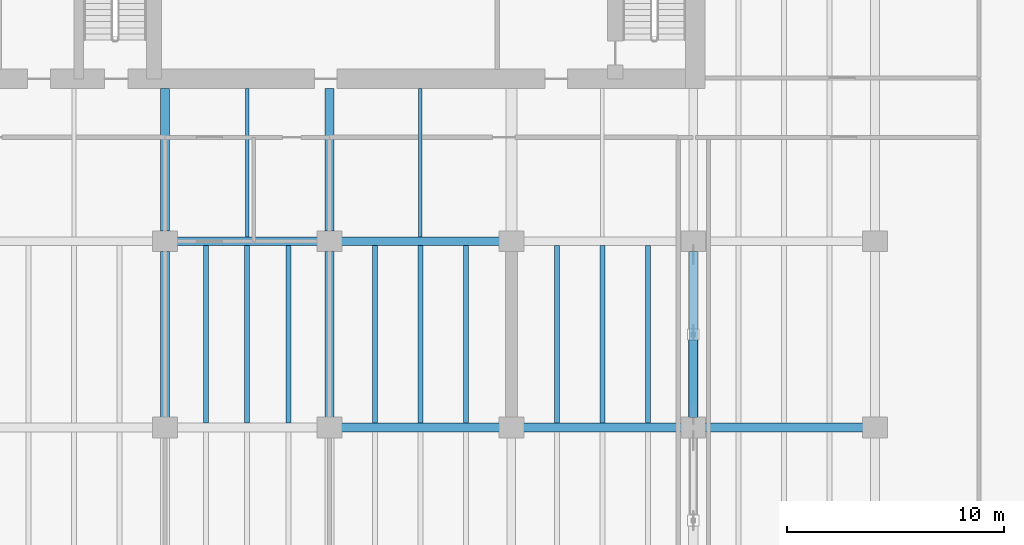
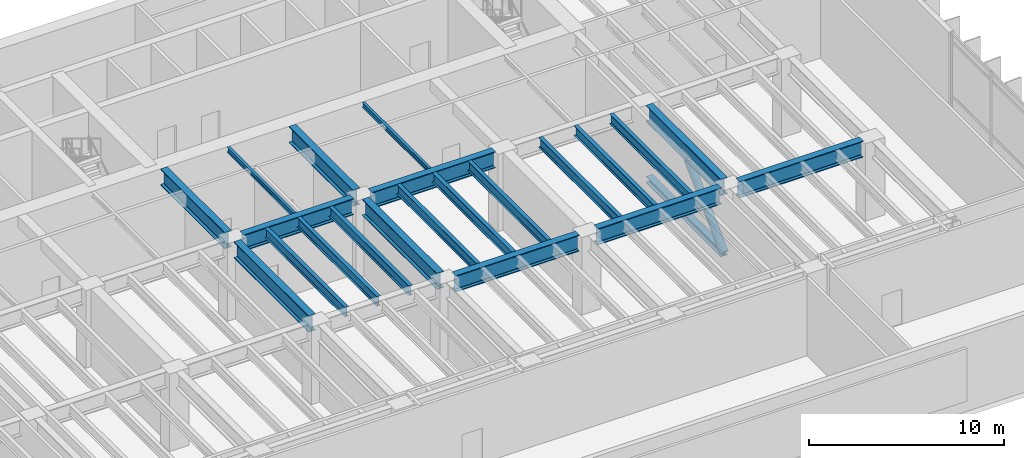
# One storey, part 7 of 21: 22 beams, 1 member.
"""IFC4 building model written with IfcOpenShell, lengths in metres."""

from ifc_helpers import new_model, si_unit, direction, frame, origin, origin_2d, place, context, subcontext, project, spatial, hollow_circle, i_section, extrude, material, material_profile, profile_set, type_object, element, save


model = new_model("IFC4")

# Units and contexts
model_context = context("Model", 3, precision=1e-05, world=origin(), true_north=direction((0.0, 1.0)))
body_context = subcontext(model_context, "Body", "Model", "MODEL_VIEW")
ifc_project = project(units=[si_unit("LENGTHUNIT", "METRE"), si_unit("AREAUNIT", "SQUARE_METRE"), si_unit("VOLUMEUNIT", "CUBIC_METRE"), si_unit("PLANEANGLEUNIT", "RADIAN"), si_unit("MASSUNIT", "GRAM", prefix="KILO")], contexts=[model_context])

# Site, building, storey
site_placement = place(None, origin())
site = spatial("IfcSite", under=ifc_project, at=site_placement, CompositionType="ELEMENT")
building_placement = place(site_placement, origin())
building = spatial("IfcBuilding", under=site, at=building_placement, Name="Caelmar Bay Residences", CompositionType="ELEMENT")
storey_placement = place(building_placement, frame((0.0, 0.0, 79.5)))
storey = spatial("IfcBuildingStorey", under=building, at=storey_placement, Name="L21", CompositionType="ELEMENT", Elevation=79.5)

# Beams
ifc_material_1 = material(Name="Steel ASTM A992 Grade 50", Category="steel")
ifc_material_profile_1 = material_profile(ifc_material_1, i_section(OverallWidth=0.40087890625, OverallDepth=0.39892578125, WebThickness=0.02490234375, FlangeThickness=0.03955078125, FilletRadius=0.01513671875, at=origin_2d()), Name="W14X211")
ifc_profile_set_1 = profile_set([ifc_material_profile_1], Name="Steel ASTM A992 Grade 50")
beam_type_1 = type_object("IfcBeamType", Name="BM-CHD-W14X211", PredefinedType="BEAM", material=ifc_profile_set_1)
beam_1_placement = place(storey_placement, frame((59.5, 21.264892578125, 0.199462890625), z_axis=(0.0, 1.0, 0.0), x_axis=(-1.0, 0.0, 0.0)))
element("IfcBeam", 1, at=beam_1_placement, inside=storey, type_object=beam_type_1, Name="L21 Outrigger Bottom Chord 4", PredefinedType="BEAM", context=body_context, shape_type="SweptSolid", body=[
    extrude(i_section(OverallWidth=0.40087890625, OverallDepth=0.39892578125, WebThickness=0.02490234375, FlangeThickness=0.03955078125, FilletRadius=0.01513671875, at=origin_2d()), origin(), (0.0, 0.0, 1.0), 7.670166015625),
])
ifc_material_profile_2 = material_profile(ifc_material_1, i_section(OverallWidth=0.404052734375, OverallDepth=1.02099609375, WebThickness=0.025390625, FlangeThickness=0.0458984375, FilletRadius=0.02294921875, at=origin_2d()), Name="W40X324")
ifc_profile_set_2 = profile_set([ifc_material_profile_2], Name="Steel ASTM A992 Grade 50")
beam_type_2 = type_object("IfcBeamType", Name="BM-GRD-W40X324", PredefinedType="BEAM", material=ifc_profile_set_2)
for number, where, z_axis, x_axis, name in (
    (2, (43.239990234375, 20.800048828125, 4.339599609375), (1.0, 0.0, 0.0), (0.0, 1.0, 0.0), "L21 East-West Girder Y=20.80 (42.7-51.1)"),
    (3, (51.639892578125, 20.800048828125, 4.339599609375), (1.0, 0.0, 0.0), (0.0, 1.0, 0.0), "L21 East-West Girder Y=20.80 (51.1-59.5)"),
    (4, (60.0400390625, 20.800048828125, 4.339599609375), (1.0, 0.0, 0.0), (0.0, 1.0, 0.0), "L21 East-West Girder Y=20.80 (59.5-67.9)"),
):
    element("IfcBeam", number, at=place(storey_placement, frame(where, z_axis=z_axis, x_axis=x_axis)), inside=storey, type_object=beam_type_2, Name=name, PredefinedType="BEAM", context=body_context, shape_type="SweptSolid", body=[
        extrude(i_section(OverallWidth=0.404052734375, OverallDepth=1.02099609375, WebThickness=0.025390625, FlangeThickness=0.0458984375, FilletRadius=0.02294921875, at=origin_2d()), origin(), (0.0, 0.0, 1.0), 7.320068359375),
    ])
beam_2_placement = place(storey_placement, frame((35.639892578125, 29.39990234375, 4.339599609375), z_axis=(1.0, 0.0, 0.0), x_axis=(0.0, 1.0, 0.0)))
element("IfcBeam", 5, at=beam_2_placement, inside=storey, type_object=beam_type_2, Name="L21 East-West Girder Y=29.40 (35.1-42.7)", PredefinedType="BEAM", context=body_context, shape_type="SweptSolid", body=[
    extrude(i_section(OverallWidth=0.404052734375, OverallDepth=1.02099609375, WebThickness=0.025390625, FlangeThickness=0.0458984375, FilletRadius=0.02294921875, at=origin_2d()), origin(), (0.0, 0.0, 1.0), 6.52001953125),
])
beam_3_placement = place(storey_placement, frame((43.239990234375, 29.39990234375, 4.339599609375), z_axis=(1.0, 0.0, 0.0), x_axis=(0.0, 1.0, 0.0)))
element("IfcBeam", 6, at=beam_3_placement, inside=storey, type_object=beam_type_2, Name="L21 East-West Girder Y=29.40 (42.7-51.1)", PredefinedType="BEAM", context=body_context, shape_type="SweptSolid", body=[
    extrude(i_section(OverallWidth=0.404052734375, OverallDepth=1.02099609375, WebThickness=0.025390625, FlangeThickness=0.0458984375, FilletRadius=0.02294921875, at=origin_2d()), origin(), (0.0, 0.0, 1.0), 7.320068359375),
])
beam_4_placement = place(storey_placement, frame((35.10009765625, 29.864990234375, 4.339599609375), z_axis=(0.0, 1.0, 0.0), x_axis=(-1.0, 0.0, 0.0)))
element("IfcBeam", 7, at=beam_4_placement, inside=storey, type_object=beam_type_2, Name="L21 Core Tie Girder X=35.10", PredefinedType="BEAM", context=body_context, shape_type="SweptSolid", body=[
    extrude(i_section(OverallWidth=0.404052734375, OverallDepth=1.02099609375, WebThickness=0.025390625, FlangeThickness=0.0458984375, FilletRadius=0.02294921875, at=origin_2d()), origin(), (0.0, 0.0, 1.0), 6.5849609375),
])
beam_5_placement = place(storey_placement, frame((35.10009765625, 21.264892578125, 4.339599609375), z_axis=(0.0, 1.0, 0.0), x_axis=(-1.0, 0.0, 0.0)))
element("IfcBeam", 8, at=beam_5_placement, inside=storey, type_object=beam_type_2, Name="L21 North-South Girder X=35.10 (20.8-29.4)", PredefinedType="BEAM", context=body_context, shape_type="SweptSolid", body=[
    extrude(i_section(OverallWidth=0.404052734375, OverallDepth=1.02099609375, WebThickness=0.025390625, FlangeThickness=0.0458984375, FilletRadius=0.02294921875, at=origin_2d()), origin(), (0.0, 0.0, 1.0), 7.670166015625),
])
beam_6_placement = place(storey_placement, frame((42.699951171875, 29.864990234375, 4.339599609375), z_axis=(0.0, 1.0, 0.0), x_axis=(-1.0, 0.0, 0.0)))
element("IfcBeam", 9, at=beam_6_placement, inside=storey, type_object=beam_type_2, Name="L21 Core Tie Girder X=42.70", PredefinedType="BEAM", context=body_context, shape_type="SweptSolid", body=[
    extrude(i_section(OverallWidth=0.404052734375, OverallDepth=1.02099609375, WebThickness=0.025390625, FlangeThickness=0.0458984375, FilletRadius=0.02294921875, at=origin_2d()), origin(), (0.0, 0.0, 1.0), 6.5849609375),
])
for number, where, z_axis, x_axis, name in (
    (10, (42.699951171875, 21.264892578125, 4.339599609375), (0.0, 1.0, 0.0), (-1.0, 0.0, 0.0), "L21 North-South Girder X=42.70 (20.8-29.4)"),
    (11, (59.5, 21.264892578125, 4.339599609375), (0.0, 1.0, 0.0), (-1.0, 0.0, 0.0), "L21 North-South Girder X=59.50 (20.8-29.4)"),
):
    element("IfcBeam", number, at=place(storey_placement, frame(where, z_axis=z_axis, x_axis=x_axis)), inside=storey, type_object=beam_type_2, Name=name, PredefinedType="BEAM", context=body_context, shape_type="SweptSolid", body=[
        extrude(i_section(OverallWidth=0.404052734375, OverallDepth=1.02099609375, WebThickness=0.025390625, FlangeThickness=0.0458984375, FilletRadius=0.02294921875, at=origin_2d()), origin(), (0.0, 0.0, 1.0), 7.670166015625),
    ])
ifc_material_profile_3 = material_profile(ifc_material_1, i_section(OverallWidth=0.1650390625, OverallDepth=0.31005859375, WebThickness=0.005859375, FlangeThickness=0.009765625, FilletRadius=0.007568359375, at=origin_2d()), Name="W12X26")
ifc_profile_set_3 = profile_set([ifc_material_profile_3], Name="Steel ASTM A992 Grade 50")
beam_type_3 = type_object("IfcBeamType", Name="BM-JST-W12X26", PredefinedType="JOIST", material=ifc_profile_set_3)
for number, where, z_axis, x_axis, name in (
    (12, (38.89990234375, 29.60205078125, 4.695068359375), (0.0, 1.0, 0.0), (-1.0, 0.0, 0.0), "L21 Core-Band Composite Joist 45"),
    (13, (46.89990234375, 29.60205078125, 4.695068359375), (0.0, 1.0, 0.0), (-1.0, 0.0, 0.0), "L21 Core-Band Composite Joist 46"),
):
    element("IfcBeam", number, at=place(storey_placement, frame(where, z_axis=z_axis, x_axis=x_axis)), inside=storey, type_object=beam_type_3, Name=name, PredefinedType="JOIST", context=body_context, shape_type="SweptSolid", body=[
        extrude(i_section(OverallWidth=0.1650390625, OverallDepth=0.31005859375, WebThickness=0.005859375, FlangeThickness=0.009765625, FilletRadius=0.007568359375, at=origin_2d()), origin(), (0.0, 0.0, 1.0), 6.847900390625),
    ])
ifc_material_profile_4 = material_profile(ifc_material_1, i_section(OverallWidth=0.22900390625, OverallDepth=0.612060546875, WebThickness=0.011962890625, FlangeThickness=0.01953125, FilletRadius=0.0126953125, at=origin_2d()), Name="W24X84")
ifc_profile_set_4 = profile_set([ifc_material_profile_4], Name="Steel ASTM A992 Grade 50")
beam_type_4 = type_object("IfcBeamType", Name="BM-JST-W24X84", PredefinedType="JOIST", material=ifc_profile_set_4)
for number, where, z_axis, x_axis, name in (
    (14, (37.0, 21.001953125, 4.5439453125), (0.0, 1.0, 0.0), (-1.0, 0.0, 0.0), "L21 Composite Floor Joist 31"),
    (15, (38.89990234375, 21.001953125, 4.5439453125), (0.0, 1.0, 0.0), (-1.0, 0.0, 0.0), "L21 Composite Floor Joist 32"),
    (16, (40.800048828125, 21.001953125, 4.5439453125), (0.0, 1.0, 0.0), (-1.0, 0.0, 0.0), "L21 Composite Floor Joist 33"),
    (17, (44.800048828125, 21.001953125, 4.5439453125), (0.0, 1.0, 0.0), (-1.0, 0.0, 0.0), "L21 Composite Floor Joist 34"),
    (18, (46.89990234375, 21.001953125, 4.5439453125), (0.0, 1.0, 0.0), (-1.0, 0.0, 0.0), "L21 Composite Floor Joist 35"),
    (19, (49.0, 21.001953125, 4.5439453125), (0.0, 1.0, 0.0), (-1.0, 0.0, 0.0), "L21 Composite Floor Joist 36"),
    (20, (53.199951171875, 21.001953125, 4.5439453125), (0.0, 1.0, 0.0), (-1.0, 0.0, 0.0), "L21 Composite Floor Joist 37"),
    (21, (55.300048828125, 21.001953125, 4.5439453125), (0.0, 1.0, 0.0), (-1.0, 0.0, 0.0), "L21 Composite Floor Joist 38"),
    (22, (57.39990234375, 21.001953125, 4.5439453125), (0.0, 1.0, 0.0), (-1.0, 0.0, 0.0), "L21 Composite Floor Joist 39"),
):
    element("IfcBeam", number, at=place(storey_placement, frame(where, z_axis=z_axis, x_axis=x_axis)), inside=storey, type_object=beam_type_4, Name=name, PredefinedType="JOIST", context=body_context, shape_type="SweptSolid", body=[
        extrude(i_section(OverallWidth=0.22900390625, OverallDepth=0.612060546875, WebThickness=0.011962890625, FlangeThickness=0.01953125, FilletRadius=0.0126953125, at=origin_2d()), origin(), (0.0, 0.0, 1.0), 8.196044921875),
    ])

# Member
ifc_material_2 = material(Name="Steel ASTM A53 Grade B", Category="steel")
ifc_material_profile_5 = material_profile(ifc_material_2, hollow_circle(Radius=0.228515625, WallThickness=0.023681640625, at=origin_2d()), Name="CHS457X25.4")
ifc_profile_set_5 = profile_set([ifc_material_profile_5], Name="Steel ASTM A53 Grade B")
member_type = type_object("IfcMemberType", Name="MEM-OUT-CHS457", PredefinedType="BRACE", material=ifc_profile_set_5)
member_placement = place(storey_placement, frame((59.5, 21.264892578125, 0.219970703125), z_axis=(0.0, 0.715825532831, 0.698279175221), x_axis=(-1.0, 0.0, 0.0)))
element("IfcMember", 23, at=member_placement, inside=storey, type_object=member_type, Name="L21 Outrigger Diagonal 4A", PredefinedType="BRACE", context=body_context, shape_type="SweptSolid", body=[
    extrude(hollow_circle(Radius=0.228515625, WallThickness=0.023681640625, at=origin_2d()), origin(), (0.0, 0.0, 1.0), 5.18994140625),
])

save(model, "model.ifc")
